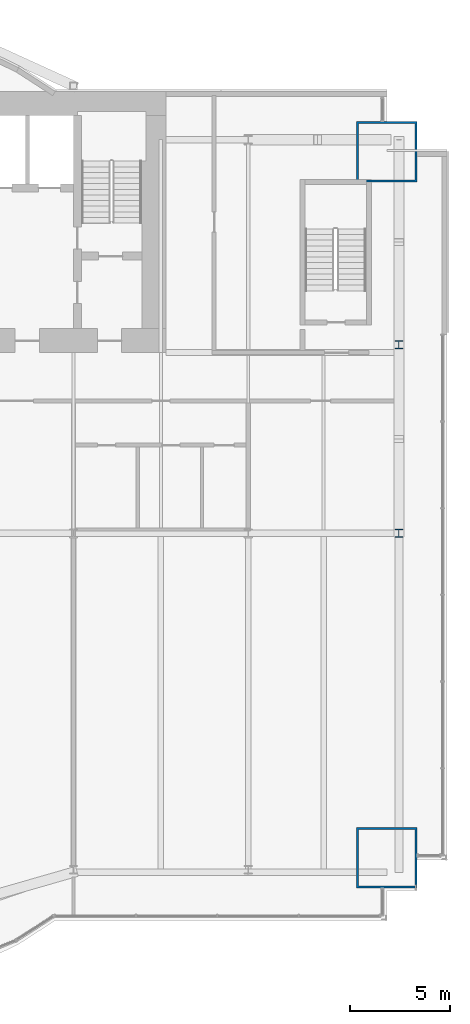
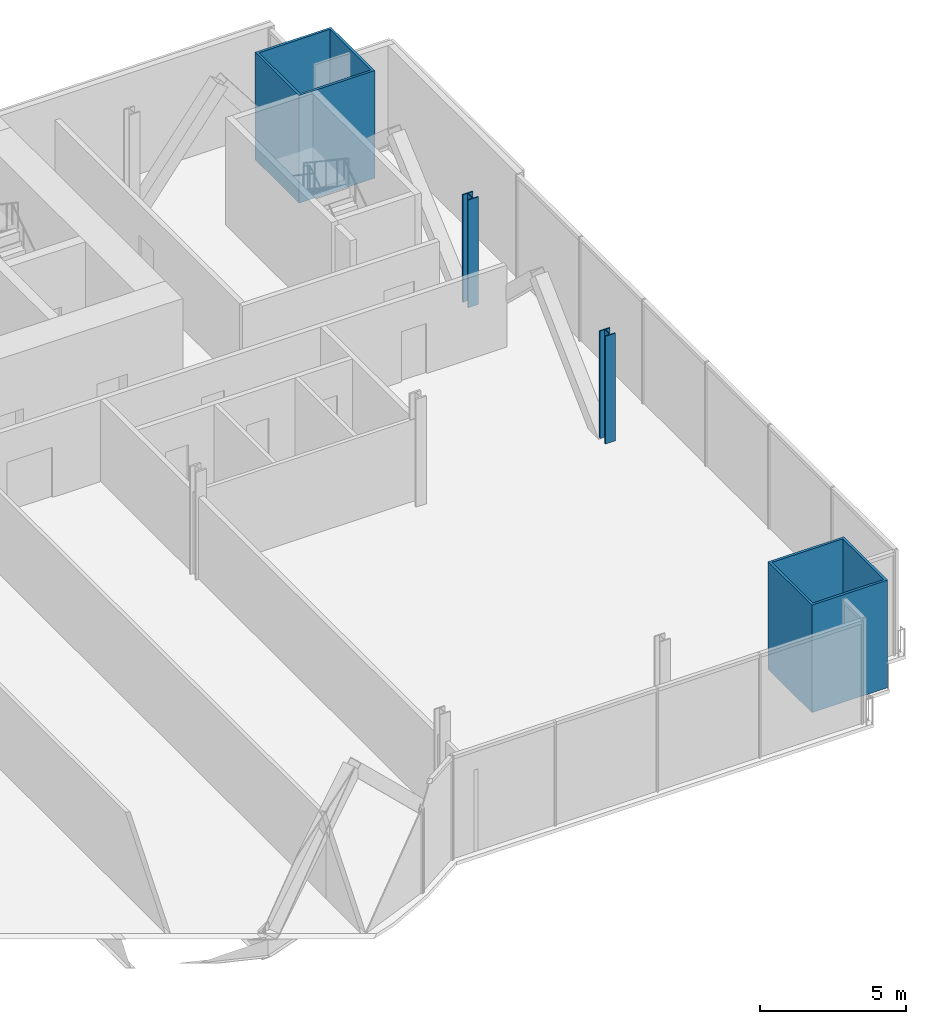
# One storey, part 3 of 21: 4 columns.
"""IFC4 building model written with IfcOpenShell, lengths in metres."""

from ifc_helpers import new_model, si_unit, direction, frame, origin, origin_2d, place, context, subcontext, project, spatial, hollow_rectangle, i_section, extrude, material, material_profile, profile_set, type_object, element, save


model = new_model("IFC4")

# Units and contexts
model_context = context("Model", 3, precision=1e-05, world=origin(), true_north=direction((0.0, 1.0)))
body_context = subcontext(model_context, "Body", "Model", "MODEL_VIEW")
ifc_project = project(units=[si_unit("LENGTHUNIT", "METRE"), si_unit("AREAUNIT", "SQUARE_METRE"), si_unit("VOLUMEUNIT", "CUBIC_METRE"), si_unit("PLANEANGLEUNIT", "RADIAN"), si_unit("MASSUNIT", "GRAM", prefix="KILO")], contexts=[model_context])

# Site, building, storey
site_placement = place(None, origin())
site = spatial("IfcSite", under=ifc_project, at=site_placement, CompositionType="ELEMENT")
building_placement = place(site_placement, origin())
building = spatial("IfcBuilding", under=site, at=building_placement, Name="Bicima Exchange Tower", CompositionType="ELEMENT")
storey_placement = place(building_placement, frame((0.0, 0.0, 48.5)))
storey = spatial("IfcBuildingStorey", under=building, at=storey_placement, Name="L09", CompositionType="ELEMENT", Elevation=48.5)

# Columns
ifc_material_1 = material(Name="Steel ASTM A572 Gr 50", Category="steel")
ifc_material_profile_1 = material_profile(ifc_material_1, hollow_rectangle(XDim=3.0, YDim=3.0, WallThickness=0.10009765625, at=origin_2d()))
ifc_profile_set_1 = profile_set([ifc_material_profile_1], Name="Steel ASTM A572 Gr 50")
column_type_1 = type_object("IfcColumnType", Name="Mega column BOX 3000x3000x100", PredefinedType="COLUMN", material=ifc_profile_set_1)
for number, where, z_axis, x_axis, name in (
    (1, (33.0, -38.14599609375, 0.0), (0.0, 0.0, 1.0), (1.0, 0.0, 0.0), "Mega column mega+33.0f"),
    (2, (33.0, -3.0, 0.0), (0.0, 0.0, 1.0), (1.0, 0.0, 0.0), "Mega column mega+33.0r"),
):
    element("IfcColumn", number, at=place(storey_placement, frame(where, z_axis=z_axis, x_axis=x_axis)), inside=storey, type_object=column_type_1, Name=name, PredefinedType="COLUMN", context=body_context, shape_type="SweptSolid", body=[
        extrude(hollow_rectangle(XDim=3.0, YDim=3.0, WallThickness=0.10009765625, at=origin_2d()), origin(), (0.0, 0.0, 1.0), 4.5),
    ])
ifc_material_2 = material(Name="Steel ASTM A992 Gr 50", Category="steel")
ifc_material_profile_2 = material_profile(ifc_material_2, i_section(OverallWidth=0.406494140625, OverallDepth=0.41650390625, WebThickness=0.030029296875, FlangeThickness=0.048095703125, at=origin_2d()))
ifc_profile_set_2 = profile_set([ifc_material_profile_2], Name="Steel ASTM A992 Gr 50")
column_type_2 = type_object("IfcColumnType", Name="Perimeter column W14x257", PredefinedType="COLUMN", material=ifc_profile_set_2)
for number, where, z_axis, x_axis, name in (
    (3, (33.60009765625, -12.60009765625, 0.0), (0.0, 0.0, 1.0), (1.0, 0.0, 0.0), "End column end+33.6e"),
    (4, (33.60009765625, -22.0, 0.0), (0.0, 0.0, 1.0), (1.0, 0.0, 0.0), "End column end+33.6e"),
):
    element("IfcColumn", number, at=place(storey_placement, frame(where, z_axis=z_axis, x_axis=x_axis)), inside=storey, type_object=column_type_2, Name=name, PredefinedType="COLUMN", context=body_context, shape_type="SweptSolid", body=[
        extrude(i_section(OverallWidth=0.406494140625, OverallDepth=0.41650390625, WebThickness=0.030029296875, FlangeThickness=0.048095703125, at=origin_2d()), origin(), (0.0, 0.0, 1.0), 4.5),
    ])

save(model, "model.ifc")
